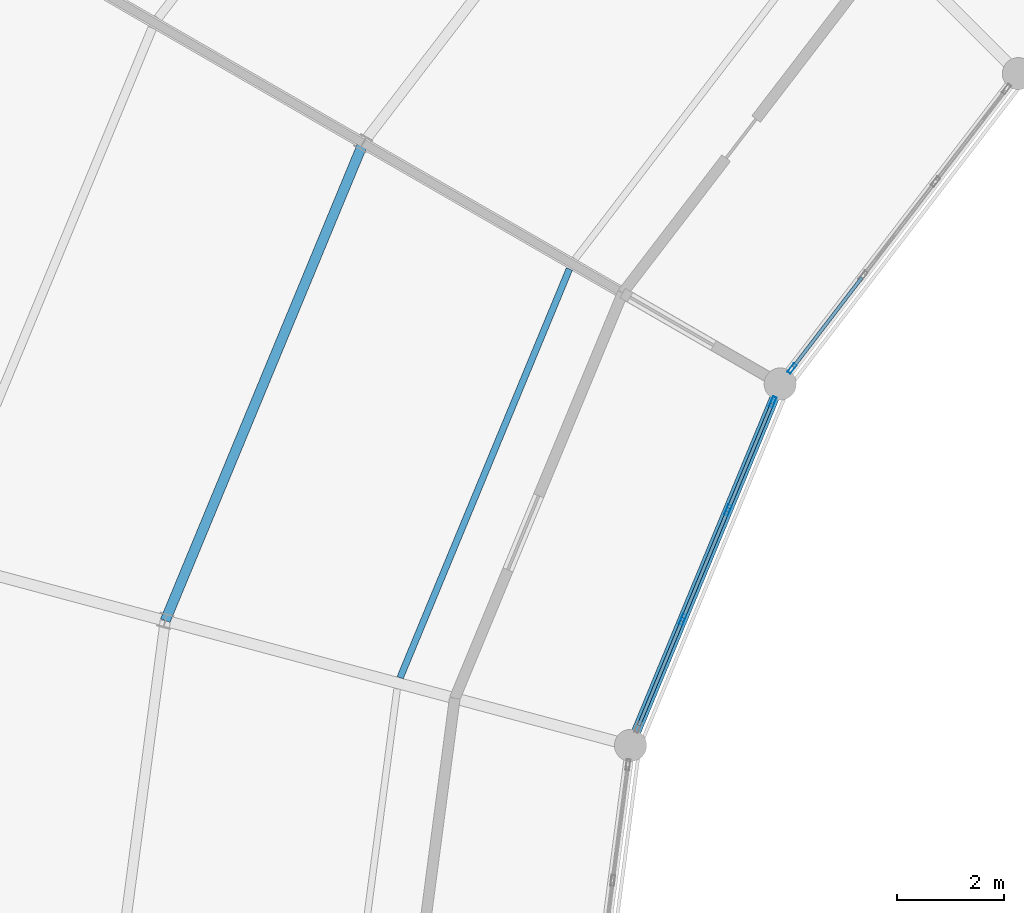
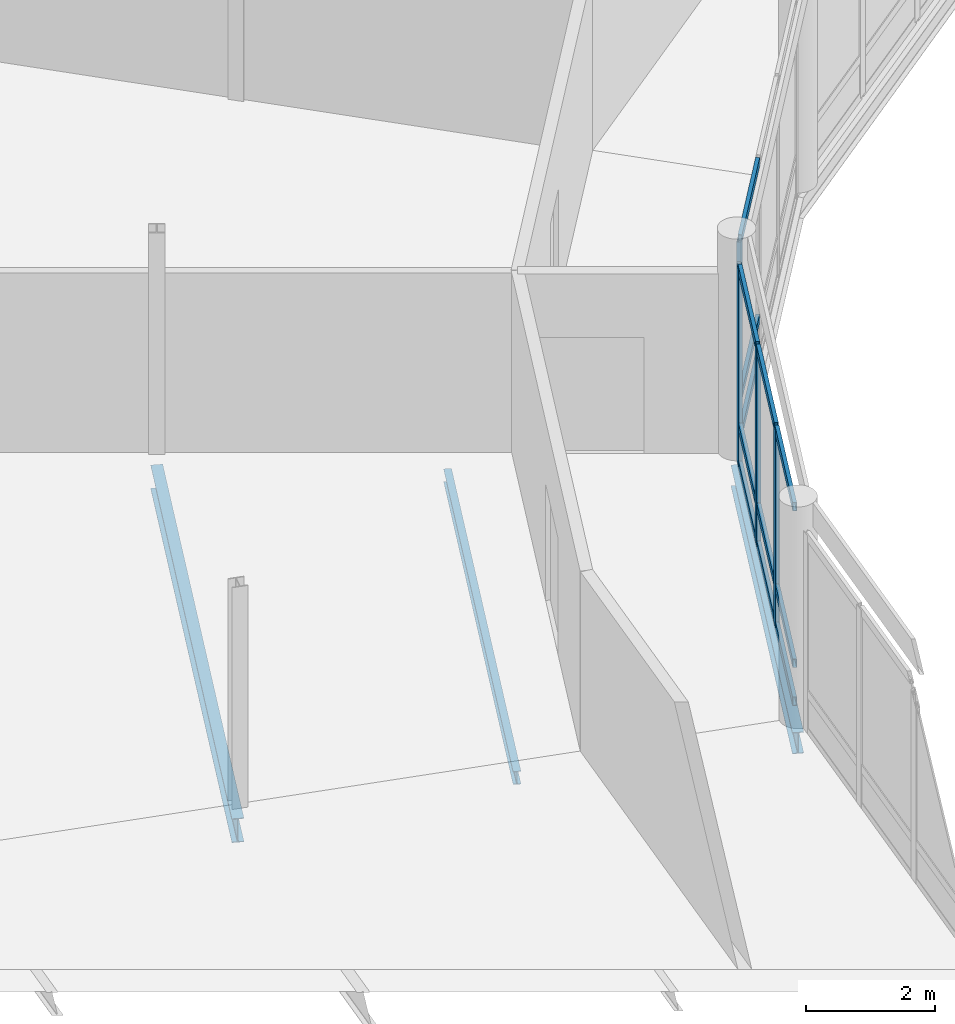
# One storey, part 75 of 185: 16 members, 3 beams, 2 elements without a shape of their own.
"""IFC4 building model written with IfcOpenShell, lengths in metres."""

from ifc_helpers import new_model, si_unit, direction, frame, origin, origin_2d, place, context, subcontext, project, spatial, hollow_rectangle, i_section, extrude, material, material_profile, profile_set, type_object, element, aggregate, save


model = new_model("IFC4")

# Units and contexts
model_context = context("Model", 3, precision=1e-05, world=origin(), true_north=direction((0.0, 1.0)))
body_context = subcontext(model_context, "Body", "Model", "MODEL_VIEW")
ifc_project = project(units=[si_unit("LENGTHUNIT", "METRE"), si_unit("AREAUNIT", "SQUARE_METRE"), si_unit("VOLUMEUNIT", "CUBIC_METRE"), si_unit("PLANEANGLEUNIT", "RADIAN"), si_unit("MASSUNIT", "GRAM", prefix="KILO")], contexts=[model_context])

# Site, building, storey
site_placement = place(None, origin())
site = spatial("IfcSite", under=ifc_project, at=site_placement, CompositionType="ELEMENT")
building_placement = place(site_placement, origin())
building = spatial("IfcBuilding", under=site, at=building_placement, Name="Vondelvale Polytechnic", CompositionType="ELEMENT")
storey_placement = place(building_placement, frame((0.0, 0.0, 9.60009765625)))
storey = spatial("IfcBuildingStorey", under=building, at=storey_placement, Name="L02", CompositionType="ELEMENT", Elevation=9.60009765625)

# Beams
ifc_material_1 = material(Name="Steel 300PLUS (fy = 300 MPa)", Category="steel")
ifc_material_profile_1 = material_profile(ifc_material_1, i_section(OverallWidth=0.177978515625, OverallDepth=0.403076171875, WebThickness=0.007568359375, FlangeThickness=0.010986328125, FilletRadius=0.011474609375, at=origin_2d()), Name="410UB53.7")
ifc_profile_set_1 = profile_set([ifc_material_profile_1], Name="Steel 300PLUS (fy = 300 MPa)")
beam_type_1 = type_object("IfcBeamType", Name="BM-UB410L", PredefinedType="BEAM", material=ifc_profile_set_1)
beam_1_placement = place(storey_placement, frame((77.751220703125, 86.0, -0.481689453125), z_axis=(-0.382667428841, -0.923886161226, 0.0), x_axis=(0.923886161226, -0.382667428841, 0.0)))
element("IfcBeam", 1, at=beam_1_placement, inside=storey, type_object=beam_type_1, Name="L02 RB B-23", PredefinedType="BEAM", context=body_context, shape_type="SweptSolid", body=[
    extrude(i_section(OverallWidth=0.177978515625, OverallDepth=0.403076171875, WebThickness=0.007568359375, FlangeThickness=0.010986328125, FilletRadius=0.011474609375, at=origin_2d()), origin(), (0.0, 0.0, 1.0), 7.3095703125),
])
ifc_material_profile_2 = material_profile(ifc_material_1, i_section(OverallWidth=0.18994140625, OverallDepth=0.4541015625, WebThickness=0.008544921875, FlangeThickness=0.0126953125, FilletRadius=0.011474609375, at=origin_2d()), Name="460UB67.1")
ifc_profile_set_2 = profile_set([ifc_material_profile_2], Name="Steel 300PLUS (fy = 300 MPa)")
beam_type_2 = type_object("IfcBeamType", Name="BM-UB460L", PredefinedType="BEAM", material=ifc_profile_set_2)
beam_2_placement = place(storey_placement, frame((69.95703125, 90.5, -0.507080078125), z_axis=(-0.38268516011, -0.923878816854, 0.0), x_axis=(0.923878816854, -0.38268516011, 0.0)))
element("IfcBeam", 2, at=beam_2_placement, inside=storey, type_object=beam_type_2, Name="L02 RB B-22", PredefinedType="BEAM", context=body_context, shape_type="SweptSolid", body=[
    extrude(i_section(OverallWidth=0.18994140625, OverallDepth=0.4541015625, WebThickness=0.008544921875, FlangeThickness=0.0126953125, FilletRadius=0.011474609375, at=origin_2d()), origin(), (0.0, 0.0, 1.0), 9.658935546875),
])

# Curtain wall, member
ifc_material_2 = material(Name="Anodised extruded aluminium 6063-T6", Category="aluminium")
curtain_wall_type = type_object("IfcCurtainWallType", Name="CW-RING-CLOISTER", PredefinedType="NOTDEFINED", material=ifc_material_2)
curtain_wall_1_placement = place(storey_placement, origin())
curtain_wall_1 = element("IfcCurtainWall", 3, at=curtain_wall_1_placement, inside=storey, type_object=curtain_wall_type, Name="L02 architectural curtain wall CW-03-217", PredefinedType="NOTDEFINED")
ifc_material_profile_3 = material_profile(ifc_material_2, hollow_rectangle(XDim=0.070068359375, YDim=0.199951171875, WallThickness=0.00390625, at=origin_2d()), Name="CW-MUL-200x70")
ifc_profile_set_3 = profile_set([ifc_material_profile_3], Name="Anodised extruded aluminium 6063-T6")
member_type_1 = type_object("IfcMemberType", Name="CW-MUL-70x200", PredefinedType="MULLION", material=ifc_profile_set_3)
member_1_placement = place(storey_placement, frame((77.97265625, 86.28857421875, 0.0), z_axis=(0.0, 0.0, 1.0), x_axis=(0.793363861089, -0.608747717793, 0.0)))
member_1 = element("IfcMember", 4, at=member_1_placement, type_object=member_type_1, Name="CW-03-217 mullion 4", PredefinedType="MULLION", context=body_context, shape_type="SweptSolid", body=[
    extrude(hollow_rectangle(XDim=0.070068359375, YDim=0.199951171875, WallThickness=0.00390625, at=origin_2d()), origin(), (0.0, 0.0, 1.0), 3.75),
])

# Curtain wall, members
curtain_wall_2_placement = place(storey_placement, origin())
curtain_wall_2 = element("IfcCurtainWall", 5, at=curtain_wall_2_placement, inside=storey, type_object=curtain_wall_type, Name="L02 architectural curtain wall CW-03-233", PredefinedType="NOTDEFINED")
member_2_placement = place(storey_placement, frame((77.611572265625, 85.662841796875, 0.0), z_axis=(0.0, 0.0, 1.0), x_axis=(0.923881562419, -0.382678531697, 0.0)))
member_2 = element("IfcMember", 6, at=member_2_placement, type_object=member_type_1, Name="CW-03-233 mullion 1", PredefinedType="MULLION", context=body_context, shape_type="SweptSolid", body=[
    extrude(hollow_rectangle(XDim=0.070068359375, YDim=0.199951171875, WallThickness=0.00390625, at=origin_2d()), origin(), (0.0, 0.0, 1.0), 3.75),
])
member_3_placement = place(storey_placement, frame((76.77685546875, 83.647216796875, 0.0), z_axis=(0.0, 0.0, 1.0), x_axis=(0.923881562419, -0.382678531697, 0.0)))
member_3 = element("IfcMember", 7, at=member_3_placement, type_object=member_type_1, Name="CW-03-233 mullion 2", PredefinedType="MULLION", context=body_context, shape_type="SweptSolid", body=[
    extrude(hollow_rectangle(XDim=0.070068359375, YDim=0.199951171875, WallThickness=0.00390625, at=origin_2d()), origin(), (0.0, 0.0, 1.0), 3.75),
])
member_4_placement = place(storey_placement, frame((75.9287109375, 81.599609375, 0.0), z_axis=(0.0, 0.0, 1.0), x_axis=(0.923881562419, -0.382678531697, 0.0)))
member_4 = element("IfcMember", 8, at=member_4_placement, type_object=member_type_1, Name="CW-03-233 mullion 3", PredefinedType="MULLION", context=body_context, shape_type="SweptSolid", body=[
    extrude(hollow_rectangle(XDim=0.070068359375, YDim=0.199951171875, WallThickness=0.00390625, at=origin_2d()), origin(), (0.0, 0.0, 1.0), 3.75),
])

# Member
ifc_material_profile_4 = material_profile(ifc_material_2, hollow_rectangle(XDim=0.06494140625, YDim=0.159912109375, WallThickness=0.00341796875, at=origin_2d()), Name="CW-TRN-160x65")
ifc_profile_set_4 = profile_set([ifc_material_profile_4], Name="Anodised extruded aluminium 6063-T6")
member_type_2 = type_object("IfcMemberType", Name="CW-TRN-70x160", PredefinedType="USERDEFINED", material=ifc_profile_set_4)
member_5_placement = place(storey_placement, frame((79.280029296875, 87.9921875, 0.032470703125), z_axis=(-0.608783266169, -0.793336583571, 0.0), x_axis=(0.793336583571, -0.608783266169, 0.0)))
member_5 = element("IfcMember", 9, at=member_5_placement, type_object=member_type_2, Name="CW-03-217 transom 3.1", ObjectType="TRANSOM", PredefinedType="USERDEFINED", context=body_context, shape_type="SweptSolid", body=[
    extrude(hollow_rectangle(XDim=0.06494140625, YDim=0.159912109375, WallThickness=0.00341796875, at=origin_2d()), origin(), (0.0, 0.0, 1.0), 2.112548828125),
])

member_6_placement = place(storey_placement, frame((79.280029296875, 87.9921875, 0.75), z_axis=(-0.608783266169, -0.793336583571, 0.0), x_axis=(0.793336583571, -0.608783266169, 0.0)))
member_6 = element("IfcMember", 10, at=member_6_placement, type_object=member_type_2, Name="CW-03-217 transom 3.2", ObjectType="TRANSOM", PredefinedType="USERDEFINED", context=body_context, shape_type="SweptSolid", body=[
    extrude(hollow_rectangle(XDim=0.06494140625, YDim=0.159912109375, WallThickness=0.00341796875, at=origin_2d()), origin(), (0.0, 0.0, 1.0), 2.112548828125),
])

member_7_placement = place(storey_placement, frame((79.280029296875, 87.9921875, 3.71728515625), z_axis=(-0.608783266169, -0.793336583571, 0.0), x_axis=(0.793336583571, -0.608783266169, 0.0)))
member_7 = element("IfcMember", 11, at=member_7_placement, type_object=member_type_2, Name="CW-03-217 transom 3.3", ObjectType="TRANSOM", PredefinedType="USERDEFINED", context=body_context, shape_type="SweptSolid", body=[
    extrude(hollow_rectangle(XDim=0.06494140625, YDim=0.159912109375, WallThickness=0.00341796875, at=origin_2d()), origin(), (0.0, 0.0, 1.0), 2.112548828125),
])

aggregate(curtain_wall_1, [member_1, member_5, member_6, member_7])

member_8_placement = place(storey_placement, frame((77.59814453125, 85.63037109375, 0.032470703125), z_axis=(-0.382627532503, -0.923902685011, 0.0), x_axis=(0.923902685011, -0.382627532503, 0.0)))
member_8 = element("IfcMember", 12, at=member_8_placement, type_object=member_type_2, Name="CW-03-233 transom 1.1", ObjectType="TRANSOM", PredefinedType="USERDEFINED", context=body_context, shape_type="SweptSolid", body=[
    extrude(hollow_rectangle(XDim=0.06494140625, YDim=0.159912109375, WallThickness=0.00341796875, at=origin_2d()), origin(), (0.0, 0.0, 1.0), 2.111328125),
])

member_9_placement = place(storey_placement, frame((77.59814453125, 85.63037109375, 0.75), z_axis=(-0.382627532503, -0.923902685011, 0.0), x_axis=(0.923902685011, -0.382627532503, 0.0)))
member_9 = element("IfcMember", 13, at=member_9_placement, type_object=member_type_2, Name="CW-03-233 transom 1.2", ObjectType="TRANSOM", PredefinedType="USERDEFINED", context=body_context, shape_type="SweptSolid", body=[
    extrude(hollow_rectangle(XDim=0.06494140625, YDim=0.159912109375, WallThickness=0.00341796875, at=origin_2d()), origin(), (0.0, 0.0, 1.0), 2.111328125),
])

member_10_placement = place(storey_placement, frame((77.59814453125, 85.63037109375, 3.71728515625), z_axis=(-0.382627532503, -0.923902685011, 0.0), x_axis=(0.923902685011, -0.382627532503, 0.0)))
member_10 = element("IfcMember", 14, at=member_10_placement, type_object=member_type_2, Name="CW-03-233 transom 1.3", ObjectType="TRANSOM", PredefinedType="USERDEFINED", context=body_context, shape_type="SweptSolid", body=[
    extrude(hollow_rectangle(XDim=0.06494140625, YDim=0.159912109375, WallThickness=0.00341796875, at=origin_2d()), origin(), (0.0, 0.0, 1.0), 2.111328125),
])

member_11_placement = place(storey_placement, frame((76.763427734375, 83.614990234375, 0.032470703125), z_axis=(-0.382716752649, -0.923865730094, 0.0), x_axis=(0.923865730094, -0.382716752649, 0.0)))
member_11 = element("IfcMember", 15, at=member_11_placement, type_object=member_type_2, Name="CW-03-233 transom 2.1", ObjectType="TRANSOM", PredefinedType="USERDEFINED", context=body_context, shape_type="SweptSolid", body=[
    extrude(hollow_rectangle(XDim=0.06494140625, YDim=0.159912109375, WallThickness=0.00341796875, at=origin_2d()), origin(), (0.0, 0.0, 1.0), 2.146484375),
])

member_12_placement = place(storey_placement, frame((76.763427734375, 83.614990234375, 0.75), z_axis=(-0.382716752649, -0.923865730094, 0.0), x_axis=(0.923865730094, -0.382716752649, 0.0)))
member_12 = element("IfcMember", 16, at=member_12_placement, type_object=member_type_2, Name="CW-03-233 transom 2.2", ObjectType="TRANSOM", PredefinedType="USERDEFINED", context=body_context, shape_type="SweptSolid", body=[
    extrude(hollow_rectangle(XDim=0.06494140625, YDim=0.159912109375, WallThickness=0.00341796875, at=origin_2d()), origin(), (0.0, 0.0, 1.0), 2.146484375),
])

member_13_placement = place(storey_placement, frame((76.763427734375, 83.614990234375, 3.71728515625), z_axis=(-0.382716752649, -0.923865730094, 0.0), x_axis=(0.923865730094, -0.382716752649, 0.0)))
member_13 = element("IfcMember", 17, at=member_13_placement, type_object=member_type_2, Name="CW-03-233 transom 2.3", ObjectType="TRANSOM", PredefinedType="USERDEFINED", context=body_context, shape_type="SweptSolid", body=[
    extrude(hollow_rectangle(XDim=0.06494140625, YDim=0.159912109375, WallThickness=0.00341796875, at=origin_2d()), origin(), (0.0, 0.0, 1.0), 2.146484375),
])

member_14_placement = place(storey_placement, frame((75.915283203125, 81.567138671875, 0.032470703125), z_axis=(-0.382726229306, -0.923861804277, 0.0), x_axis=(0.923861804277, -0.382726229306, 0.0)))
member_14 = element("IfcMember", 18, at=member_14_placement, type_object=member_type_2, Name="CW-03-233 transom 3.1", ObjectType="TRANSOM", PredefinedType="USERDEFINED", context=body_context, shape_type="SweptSolid", body=[
    extrude(hollow_rectangle(XDim=0.06494140625, YDim=0.159912109375, WallThickness=0.00341796875, at=origin_2d()), origin(), (0.0, 0.0, 1.0), 2.111328125),
])

member_15_placement = place(storey_placement, frame((75.915283203125, 81.567138671875, 0.75), z_axis=(-0.382726229306, -0.923861804277, 0.0), x_axis=(0.923861804277, -0.382726229306, 0.0)))
member_15 = element("IfcMember", 19, at=member_15_placement, type_object=member_type_2, Name="CW-03-233 transom 3.2", ObjectType="TRANSOM", PredefinedType="USERDEFINED", context=body_context, shape_type="SweptSolid", body=[
    extrude(hollow_rectangle(XDim=0.06494140625, YDim=0.159912109375, WallThickness=0.00341796875, at=origin_2d()), origin(), (0.0, 0.0, 1.0), 2.111328125),
])

member_16_placement = place(storey_placement, frame((75.915283203125, 81.567138671875, 3.71728515625), z_axis=(-0.382726229306, -0.923861804277, 0.0), x_axis=(0.923861804277, -0.382726229306, 0.0)))
member_16 = element("IfcMember", 20, at=member_16_placement, type_object=member_type_2, Name="CW-03-233 transom 3.3", ObjectType="TRANSOM", PredefinedType="USERDEFINED", context=body_context, shape_type="SweptSolid", body=[
    extrude(hollow_rectangle(XDim=0.06494140625, YDim=0.159912109375, WallThickness=0.00341796875, at=origin_2d()), origin(), (0.0, 0.0, 1.0), 2.111328125),
])

aggregate(curtain_wall_2, [member_2, member_3, member_4, member_8, member_9, member_10, member_11, member_12, member_13, member_14, member_15, member_16])

# Beam
ifc_material_profile_5 = material_profile(ifc_material_1, i_section(OverallWidth=0.1240234375, OverallDepth=0.248046875, WebThickness=0.0048828125, FlangeThickness=0.008056640625, FilletRadius=0.0087890625, at=origin_2d()), Name="250UB25.7")
ifc_profile_set_5 = profile_set([ifc_material_profile_5], Name="Steel 300PLUS (fy = 300 MPa)")
beam_type_3 = type_object("IfcBeamType", Name="JST-UB250L", PredefinedType="JOIST", material=ifc_profile_set_5)
beam_3_placement = place(storey_placement, frame((73.81201171875, 88.1484375, -0.404052734375), z_axis=(-0.38268053388, -0.923880733098, 0.0), x_axis=(0.923880733098, -0.38268053388, 0.0)))
element("IfcBeam", 21, at=beam_3_placement, inside=storey, type_object=beam_type_3, Name="L02 RJ J-08", PredefinedType="JOIST", context=body_context, shape_type="SweptSolid", body=[
    extrude(i_section(OverallWidth=0.1240234375, OverallDepth=0.248046875, WebThickness=0.0048828125, FlangeThickness=0.008056640625, FilletRadius=0.0087890625, at=origin_2d()), origin(), (0.0, 0.0, 1.0), 8.264404296875),
])

save(model, "model.ifc")
